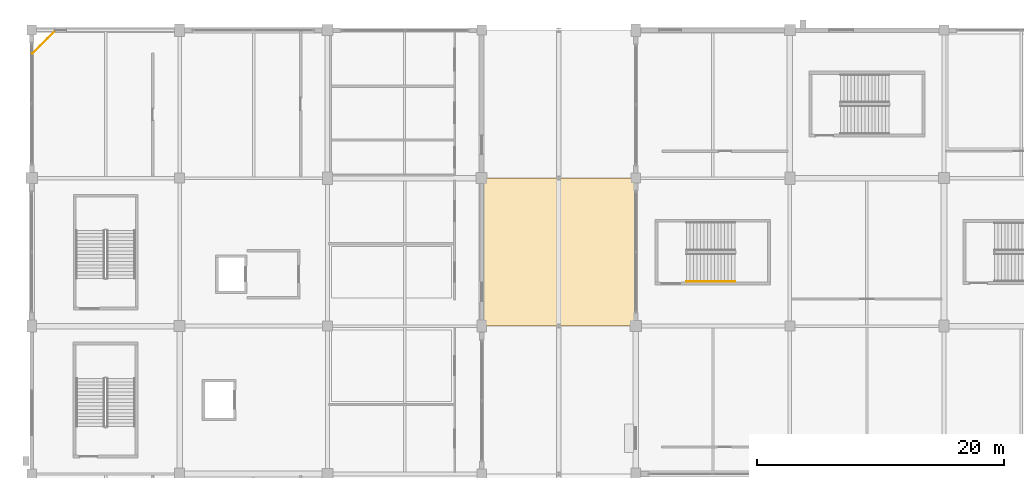
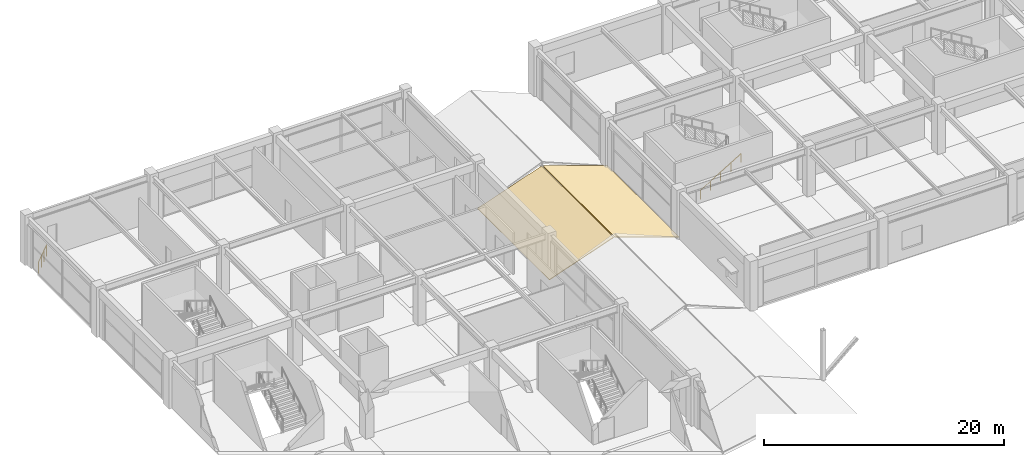
# One storey, part 111 of 116: 2 coverings, 2 railings.
"""IFC4 building model written with IfcOpenShell, lengths in metres."""

from ifc_helpers import new_model, si_unit, direction, frame, origin, origin_2d, place, context, subcontext, project, spatial, polyline, circle, outline, extrude, material, layer, layer_set, type_object, element, save


model = new_model("IFC4")

# Units and contexts
model_context = context("Model", 3, precision=1e-05, world=origin(), true_north=direction((0.0, 1.0)))
body_context = subcontext(model_context, "Body", "Model", "MODEL_VIEW")
ifc_project = project(units=[si_unit("LENGTHUNIT", "METRE"), si_unit("AREAUNIT", "SQUARE_METRE"), si_unit("VOLUMEUNIT", "CUBIC_METRE"), si_unit("PLANEANGLEUNIT", "RADIAN"), si_unit("MASSUNIT", "GRAM", prefix="KILO")], contexts=[model_context])

# Site, building, storey
site_placement = place(None, origin())
site = spatial("IfcSite", under=ifc_project, at=site_placement, CompositionType="ELEMENT")
building_placement = place(site_placement, origin())
building = spatial("IfcBuilding", under=site, at=building_placement, Name="Kazenohara Klinker Stadium", CompositionType="ELEMENT")
storey_placement = place(building_placement, frame((0.0, 0.0, 10.199951171875)))
storey = spatial("IfcBuildingStorey", under=building, at=storey_placement, Name="L02", CompositionType="ELEMENT", Elevation=10.199951171875)

# Coverings
ifc_material_1 = material(Name="Insulated standing-seam copper roofing", Category="metal")
ifc_layer_1 = layer(ifc_material_1, 0.050048828125)
ifc_layer_set_1 = layer_set([ifc_layer_1], Name="Insulated standing-seam copper roofing")
covering_type = type_object("IfcCoveringType", Name="COV-ROOF-01", PredefinedType="ROOFING", material=ifc_layer_set_1)
for number, where, z_axis, x_axis, name in (
    (1, (36.5, 144.0, -0.030029296875), (-0.327656136105, 0.0, 0.944797045123), (0.944797045123, 0.0, 0.327656136105), "Standing-seam copper stepped wing roofing L02-A 4/N"),
    (2, (42.800048828125, 144.0, 2.1201171875), (0.327656136105, 0.0, 0.944797045123), (0.944797045123, 0.0, -0.327656136105), "Standing-seam copper stepped wing roofing L02-B 4/N"),
):
    element("IfcCovering", number, at=place(storey_placement, frame(where, z_axis=z_axis, x_axis=x_axis)), inside=storey, type_object=covering_type, Name=name, PredefinedType="ROOFING", context=body_context, shape_type="SweptSolid", body=[
        extrude(outline(polyline([(0.0, 0.0), (6.562204236223097, 0.0), (6.562204236223097, 12.0), (0.0, 12.0), (0.0, 0.0)])), origin(), (0.0, 0.0, -1.0), 0.050048828125),
    ])

# Railings
ifc_material_2 = material(Name="Galvanised powder-coated steel guardrail", Category="steel")
ifc_layer_2 = layer(ifc_material_2, 0.070068359375)
ifc_layer_set_2 = layer_set([ifc_layer_2], Name="Galvanised powder-coated steel guardrail")
railing_type_1 = type_object("IfcRailingType", Name="RL-GRD-1150", PredefinedType="GUARDRAIL", material=ifc_layer_set_2)
railing_1_placement = place(storey_placement, frame((1.8798828125, 167.919921875, 0.0)))
element("IfcRailing", 3, at=railing_1_placement, inside=storey, type_object=railing_type_1, Name="Corner chamfer slab-edge guardrail GR01-SLB-L02-00-13", PredefinedType="GUARDRAIL", context=body_context, shape_type="SweptSolid", body=[
    extrude(circle(Radius=0.02392578125, at=origin_2d()), frame((0.0, 0.0, 1.1259765625), z_axis=(-0.707106781187, -0.707106781187, 0.0), x_axis=(0.707106781187, -0.707106781187, 0.0)), (0.0, 0.0, 1.0), 2.54541015625),
    extrude(circle(Radius=0.02099609375, at=origin_2d()), origin(), (0.0, 0.0, 1.0), 1.101806640625),
    extrude(circle(Radius=0.02099609375, at=origin_2d()), frame((-0.599853515625, -0.599853515625, 0.0)), (0.0, 0.0, 1.0), 1.101806640625),
    extrude(circle(Radius=0.02099609375, at=origin_2d()), frame((-1.199951171875, -1.199951171875, 0.0)), (0.0, 0.0, 1.0), 1.101806640625),
    extrude(circle(Radius=0.02099609375, at=origin_2d()), frame((-1.7998046875, -1.7998046875, 0.0)), (0.0, 0.0, 1.0), 1.101806640625),
])
ifc_material_3 = material(Name="Brushed stainless steel 304 handrail", Category="steel")
ifc_layer_3 = layer(ifc_material_3, 0.050048828125)
ifc_layer_set_3 = layer_set([ifc_layer_3], Name="Brushed stainless steel 304 handrail")
railing_type_2 = type_object("IfcRailingType", Name="RL-HND-900", PredefinedType="HANDRAIL", material=ifc_layer_set_3)
railing_2_placement = place(storey_placement, frame((53.1298828125, 147.610107421875, 0.170166015625)))
element("IfcRailing", 4, at=railing_2_placement, inside=storey, type_object=railing_type_2, Name="L02 ST08 stair handrail 1", PredefinedType="HANDRAIL", context=body_context, shape_type="SweptSolid", body=[
    extrude(circle(Radius=0.02392578125, at=origin_2d()), frame((0.0, 0.0, 0.8759765625), z_axis=(0.854808600491, 0.0, 0.518943403973), x_axis=(0.0, 1.0, 0.0)), (0.0, 0.0, 1.0), 4.5859375),
    extrude(circle(Radius=0.02099609375, at=origin_2d()), origin(), (0.0, 0.0, 1.0), 0.851806640625),
    extrude(circle(Radius=0.02099609375, at=origin_2d()), frame((0.97998046875, 0.0, 0.594970703125)), (0.0, 0.0, 1.0), 0.851806640625),
    extrude(circle(Radius=0.02099609375, at=origin_2d()), frame((1.9599609375, 0.0, 1.18994140625)), (0.0, 0.0, 1.0), 0.851806640625),
    extrude(circle(Radius=0.02099609375, at=origin_2d()), frame((2.940185546875, 0.0, 1.784912109375)), (0.0, 0.0, 1.0), 0.851806640625),
    extrude(circle(Radius=0.02099609375, at=origin_2d()), frame((3.920166015625, 0.0, 2.3798828125)), (0.0, 0.0, 1.0), 0.851806640625),
])

save(model, "model.ifc")
